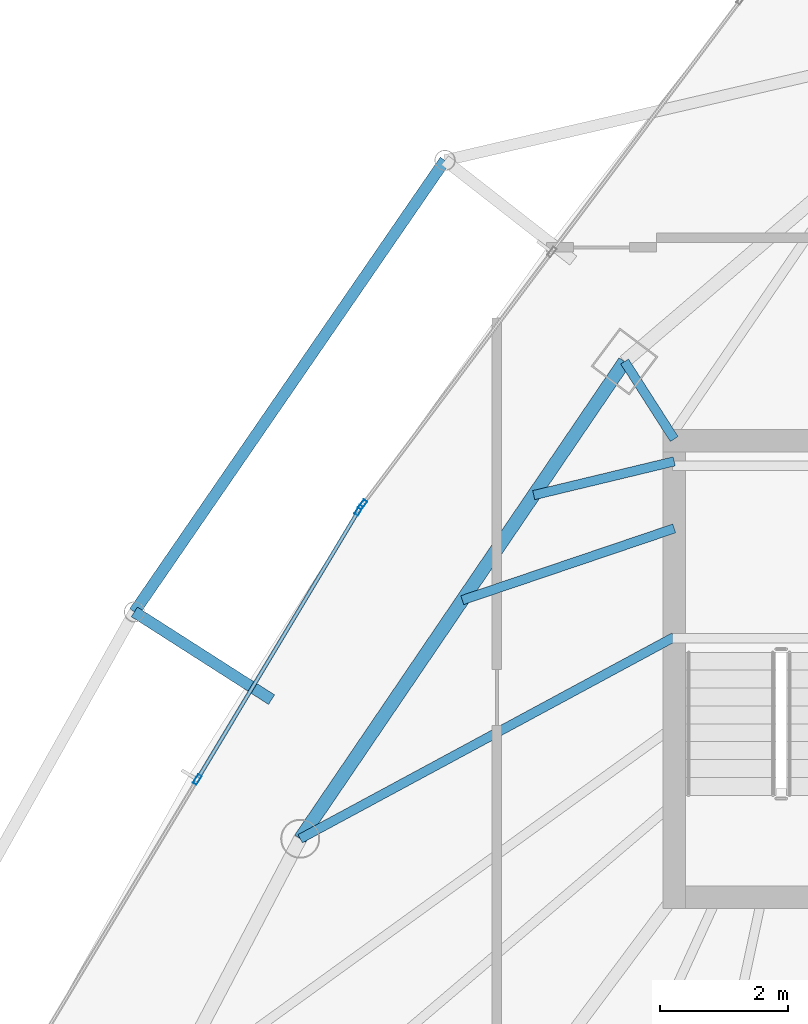
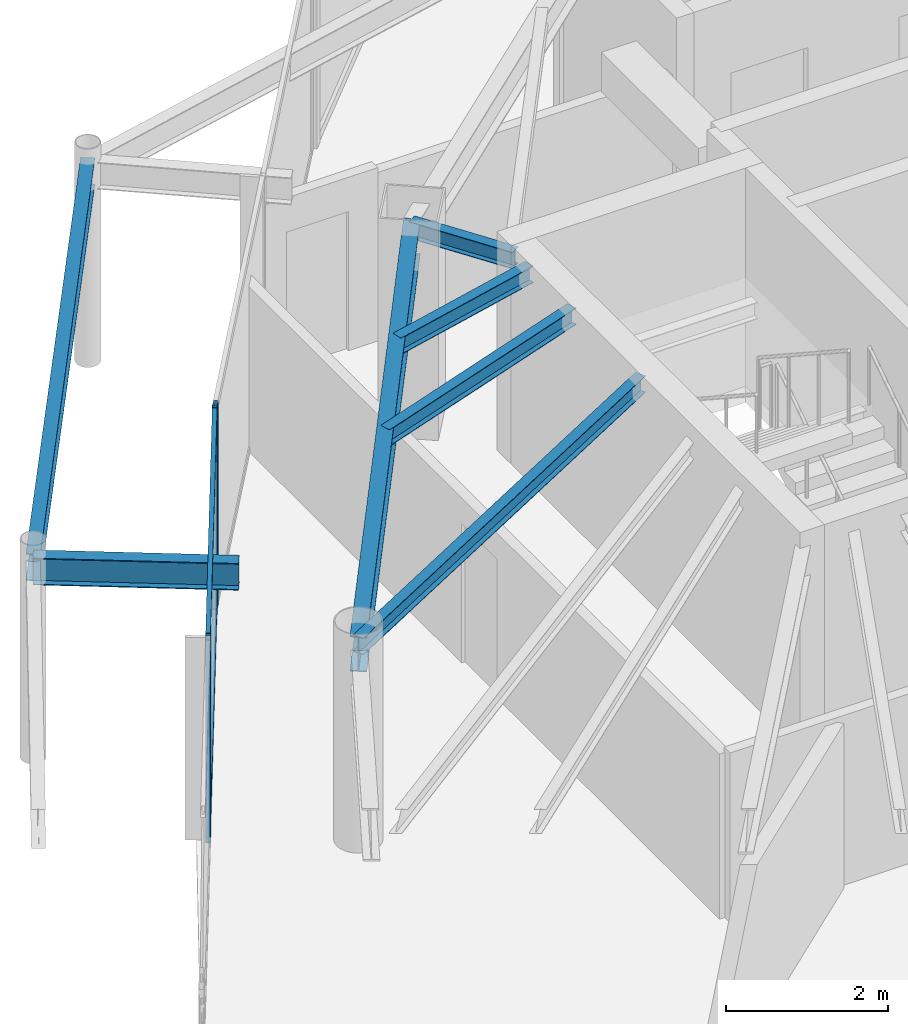
# One storey, part 12 of 30: 7 beams, 5 members, 2 elements without a shape of their own.
"""IFC4 building model written with IfcOpenShell, lengths in metres."""

from ifc_helpers import new_model, si_unit, direction, frame, origin, origin_2d, place, context, subcontext, project, spatial, hollow_rectangle, i_section, extrude, material, layer, layer_set, material_profile, profile_set, type_object, element, aggregate, save


model = new_model("IFC4")

# Units and contexts
model_context = context("Model", 3, precision=1e-05, world=origin(), true_north=direction((0.0, 1.0)))
body_context = subcontext(model_context, "Body", "Model", "MODEL_VIEW")
ifc_project = project(units=[si_unit("LENGTHUNIT", "METRE"), si_unit("AREAUNIT", "SQUARE_METRE"), si_unit("VOLUMEUNIT", "CUBIC_METRE"), si_unit("PLANEANGLEUNIT", "RADIAN"), si_unit("MASSUNIT", "GRAM", prefix="KILO")], contexts=[model_context])

# Site, building, storey
site_placement = place(None, origin())
site = spatial("IfcSite", under=ifc_project, at=site_placement, CompositionType="ELEMENT")
building_placement = place(site_placement, origin())
building = spatial("IfcBuilding", under=site, at=building_placement, Name="Orvanel Arch Residences", CompositionType="ELEMENT")
storey_placement = place(building_placement, frame((0.0, 0.0, 226.10009765625)))
storey = spatial("IfcBuildingStorey", under=building, at=storey_placement, Name="L64", CompositionType="ELEMENT", Elevation=226.10009765625)

# Beams
ifc_material_1 = material(Name="Structural steel AS/NZS 3679.1 Grade 300 (300 MPa)", Category="steel")
ifc_material_profile_1 = material_profile(ifc_material_1, i_section(OverallWidth=0.14599609375, OverallDepth=0.251953125, WebThickness=0.006103515625, FlangeThickness=0.008544921875, at=origin_2d()), Name="250UB31.4")
ifc_profile_set_1 = profile_set([ifc_material_profile_1], Name="Structural steel AS/NZS 3679.1 Grade 300 (300 MPa)")
beam_type_1 = type_object("IfcBeamType", Name="BJ-250UB", PredefinedType="JOIST", material=ifc_profile_set_1)
beam_1_placement = place(storey_placement, frame((26.425048828125, 33.89990234375, 2.933837890625), z_axis=(-0.539395075146, 0.842052820735, 0.0), x_axis=(-0.842052820735, -0.539395075146, 0.0)))
element("IfcBeam", 1, at=beam_1_placement, inside=storey, type_object=beam_type_1, Name="L64 NNW Wing Floor Joist", PredefinedType="JOIST", context=body_context, shape_type="SweptSolid", body=[
    extrude(i_section(OverallWidth=0.14599609375, OverallDepth=0.251953125, WebThickness=0.006103515625, FlangeThickness=0.008544921875, at=origin_2d()), origin(), (0.0, 0.0, 1.0), 1.440673828125),
])
beam_2_placement = place(storey_placement, frame((26.425048828125, 30.800048828125, 2.933837890625), z_axis=(-0.880111494021, -0.474767056664, 0.0), x_axis=(0.474767056664, -0.880111494021, 0.0)))
element("IfcBeam", 2, at=beam_2_placement, inside=storey, type_object=beam_type_1, Name="L64 NW Wing Floor Joist", PredefinedType="JOIST", context=body_context, shape_type="SweptSolid", body=[
    extrude(i_section(OverallWidth=0.14599609375, OverallDepth=0.251953125, WebThickness=0.006103515625, FlangeThickness=0.008544921875, at=origin_2d()), origin(), (0.0, 0.0, 1.0), 6.653564453125),
])
beam_3_placement = place(storey_placement, frame((26.425048828125, 32.5, 2.933837890625), z_axis=(-0.947187956478, -0.320678928373, 0.0), x_axis=(0.320678928373, -0.947187956478, 0.0)))
element("IfcBeam", 3, at=beam_3_placement, inside=storey, type_object=beam_type_1, Name="L64 WNW Wing Floor Joist", PredefinedType="JOIST", context=body_context, shape_type="SweptSolid", body=[
    extrude(i_section(OverallWidth=0.14599609375, OverallDepth=0.251953125, WebThickness=0.006103515625, FlangeThickness=0.008544921875, at=origin_2d()), origin(), (0.0, 0.0, 1.0), 3.502197265625),
])
beam_4_placement = place(storey_placement, frame((26.425048828125, 33.550048828125, 2.933837890625), z_axis=(-0.972256833016, -0.23391590509, 0.0), x_axis=(0.23391590509, -0.972256833016, 0.0)))
element("IfcBeam", 4, at=beam_4_placement, inside=storey, type_object=beam_type_1, Name="L64 JADD3 Wing Floor Joist", PredefinedType="JOIST", context=body_context, shape_type="SweptSolid", body=[
    extrude(i_section(OverallWidth=0.14599609375, OverallDepth=0.251953125, WebThickness=0.006103515625, FlangeThickness=0.008544921875, at=origin_2d()), origin(), (0.0, 0.0, 1.0), 2.26171875),
])

# Curtain wall, member
ifc_material_2 = material(Name="Bronze-anodised aluminium AA6063-T6", Category="aluminium")
ifc_layer = layer(ifc_material_2, 0.175048828125)
ifc_layer_set = layer_set([ifc_layer], Name="Bronze-anodised aluminium AA6063-T6")
curtain_wall_type = type_object("IfcCurtainWallType", Name="CW4-HI-SYS", PredefinedType="NOTDEFINED", material=ifc_layer_set)
curtain_wall_1_placement = place(storey_placement, origin())
curtain_wall_1 = element("IfcCurtainWall", 5, at=curtain_wall_1_placement, inside=storey, type_object=curtain_wall_type, Name="L64 CW4-HI-SYS Unitised Curtain Wall", PredefinedType="NOTDEFINED")
ifc_material_profile_2 = material_profile(ifc_material_2, hollow_rectangle(XDim=0.06494140625, YDim=0.159912109375, WallThickness=0.00390625, at=origin_2d()), Name="ALU160x65x4")
ifc_profile_set_2 = profile_set([ifc_material_profile_2], Name="Bronze-anodised aluminium AA6063-T6")
member_type_1 = type_object("IfcMemberType", Name="MUL-160x65", PredefinedType="MULLION", material=ifc_profile_set_2)
member_1_placement = place(storey_placement, frame((21.54541015625, 32.8720703125, 0.0), z_axis=(0.0, 0.0, 1.0), x_axis=(0.800385756327, -0.599485313473, 0.0)))
member_1 = element("IfcMember", 6, at=member_1_placement, type_object=member_type_1, Name="CW-S4 mullion 3", PredefinedType="MULLION", context=body_context, shape_type="SweptSolid", body=[
    extrude(hollow_rectangle(XDim=0.06494140625, YDim=0.159912109375, WallThickness=0.00390625, at=origin_2d()), origin(), (0.0, 0.0, 1.0), 3.059814453125),
])
aggregate(curtain_wall_1, [member_1])

# Curtain wall, members
curtain_wall_2_placement = place(storey_placement, origin())
curtain_wall_2 = element("IfcCurtainWall", 7, at=curtain_wall_2_placement, inside=storey, type_object=curtain_wall_type, Name="L64 CW4-HI-SYS Unitised Curtain Wall", PredefinedType="NOTDEFINED")
member_2_placement = place(storey_placement, frame((21.4873046875, 32.78515625, 0.0), z_axis=(0.0, 0.0, 1.0), x_axis=(0.857528580719, -0.514436325748, 0.0)))
member_2 = element("IfcMember", 8, at=member_2_placement, type_object=member_type_1, Name="CW-S4 mullion 1", PredefinedType="MULLION", context=body_context, shape_type="SweptSolid", body=[
    extrude(hollow_rectangle(XDim=0.06494140625, YDim=0.159912109375, WallThickness=0.00390625, at=origin_2d()), origin(), (0.0, 0.0, 1.0), 3.059814453125),
])
member_3_placement = place(storey_placement, frame((18.9580078125, 28.569091796875, 0.0), z_axis=(0.0, 0.0, 1.0), x_axis=(0.857528580719, -0.514436325748, 0.0)))
member_3 = element("IfcMember", 9, at=member_3_placement, type_object=member_type_1, Name="CW-S4 mullion 2", PredefinedType="MULLION", context=body_context, shape_type="SweptSolid", body=[
    extrude(hollow_rectangle(XDim=0.06494140625, YDim=0.159912109375, WallThickness=0.00390625, at=origin_2d()), origin(), (0.0, 0.0, 1.0), 3.059814453125),
])

# Beams
ifc_material_profile_3 = material_profile(ifc_material_1, i_section(OverallWidth=0.177978515625, OverallDepth=0.406005859375, WebThickness=0.0078125, FlangeThickness=0.0126953125, at=origin_2d()), Name="410UB59.7")
ifc_profile_set_3 = profile_set([ifc_material_profile_3], Name="Structural steel AS/NZS 3679.1 Grade 300 (300 MPa)")
beam_type_2 = type_object("IfcBeamType", Name="OB-410UB-EXT", PredefinedType="SPANDREL", material=ifc_profile_set_3)
beam_5_placement = place(storey_placement, frame((22.8359375, 38.262939453125, 2.85693359375), z_axis=(-0.566729250938, -0.823904094013, 0.0), x_axis=(0.823904094013, -0.566729250938, 0.0)))
element("IfcBeam", 10, at=beam_5_placement, inside=storey, type_object=beam_type_2, Name="L64 Outer Perimeter Floor Ring Beam 01", PredefinedType="SPANDREL", context=body_context, shape_type="SweptSolid", body=[
    extrude(i_section(OverallWidth=0.177978515625, OverallDepth=0.406005859375, WebThickness=0.0078125, FlangeThickness=0.0126953125, at=origin_2d()), origin(), (0.0, 0.0, 1.0), 8.580810546875),
])
beam_6_placement = place(storey_placement, frame((20.12109375, 29.819091796875, 2.85693359375), z_axis=(-0.842417425066, 0.538825465197, 0.0), x_axis=(-0.538825465197, -0.842417425066, 0.0)))
element("IfcBeam", 11, at=beam_6_placement, inside=storey, type_object=beam_type_2, Name="L64 Outer Frame Radial Tie Beam 02", PredefinedType="SPANDREL", context=body_context, shape_type="SweptSolid", body=[
    extrude(i_section(OverallWidth=0.177978515625, OverallDepth=0.406005859375, WebThickness=0.0078125, FlangeThickness=0.0126953125, at=origin_2d()), origin(), (0.0, 0.0, 1.0), 2.550048828125),
])
ifc_material_profile_4 = material_profile(ifc_material_1, i_section(OverallWidth=0.208984375, OverallDepth=0.532958984375, WebThickness=0.01025390625, FlangeThickness=0.015625, at=origin_2d()), Name="530UB92.4")
ifc_profile_set_4 = profile_set([ifc_material_profile_4], Name="Structural steel AS/NZS 3679.1 Grade 300 (300 MPa)")
beam_type_3 = type_object("IfcBeamType", Name="SP-530UB", PredefinedType="SPANDREL", material=ifc_profile_set_4)
beam_7_placement = place(storey_placement, frame((25.64794921875, 35.113037109375, 2.79296875), z_axis=(-0.562154793153, -0.827032035978, 0.0), x_axis=(0.827032035978, -0.562154793153, 0.0)))
element("IfcBeam", 12, at=beam_7_placement, inside=storey, type_object=beam_type_3, Name="L64 Perimeter Spandrel Beam 11", PredefinedType="SPANDREL", context=body_context, shape_type="SweptSolid", body=[
    extrude(i_section(OverallWidth=0.208984375, OverallDepth=0.532958984375, WebThickness=0.01025390625, FlangeThickness=0.015625, at=origin_2d()), origin(), (0.0, 0.0, 1.0), 9.03466796875),
])

# Member
ifc_material_profile_5 = material_profile(ifc_material_2, hollow_rectangle(XDim=0.06005859375, YDim=0.1201171875, WallThickness=0.00341796875, at=origin_2d()), Name="ALU120x60x3.5")
ifc_profile_set_5 = profile_set([ifc_material_profile_5], Name="Bronze-anodised aluminium AA6063-T6")
member_type_2 = type_object("IfcMemberType", Name="TRN-120x60", PredefinedType="USERDEFINED", material=ifc_profile_set_5)
member_4_placement = place(storey_placement, frame((21.470458984375, 32.75732421875, 0.02978515625), z_axis=(-0.514436552453, -0.857528444718, 0.0), x_axis=(0.857528444718, -0.514436552453, 0.0)))
member_4 = element("IfcMember", 13, at=member_4_placement, type_object=member_type_2, Name="CW-S4 transom 1.1", ObjectType="TRANSOM", PredefinedType="USERDEFINED", context=body_context, shape_type="SweptSolid", body=[
    extrude(hollow_rectangle(XDim=0.06005859375, YDim=0.1201171875, WallThickness=0.00341796875, at=origin_2d()), origin(), (0.0, 0.0, 1.0), 4.8515625),
])

member_5_placement = place(storey_placement, frame((21.470458984375, 32.75732421875, 3.02978515625), z_axis=(-0.514436552453, -0.857528444718, 0.0), x_axis=(0.857528444718, -0.514436552453, 0.0)))
member_5 = element("IfcMember", 14, at=member_5_placement, type_object=member_type_2, Name="CW-S4 transom 1.2", ObjectType="TRANSOM", PredefinedType="USERDEFINED", context=body_context, shape_type="SweptSolid", body=[
    extrude(hollow_rectangle(XDim=0.06005859375, YDim=0.1201171875, WallThickness=0.00341796875, at=origin_2d()), origin(), (0.0, 0.0, 1.0), 4.8515625),
])

aggregate(curtain_wall_2, [member_2, member_3, member_4, member_5])

save(model, "model.ifc")
